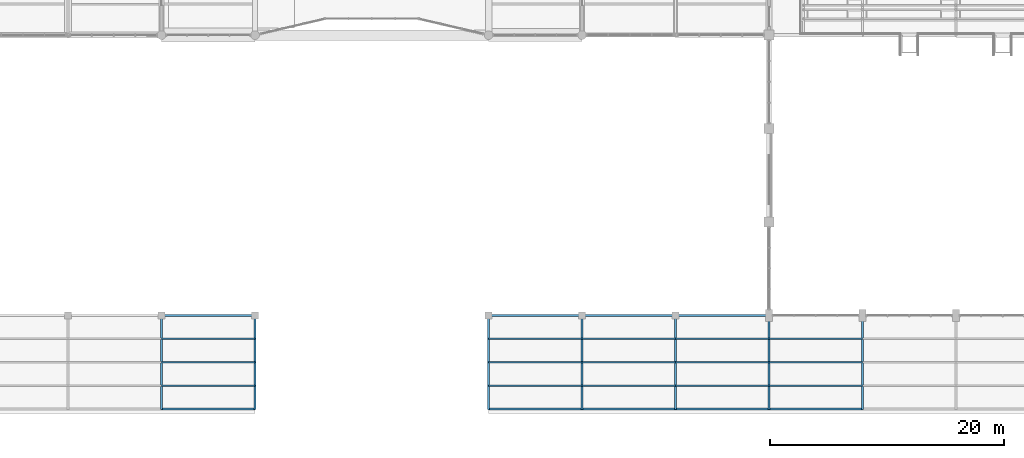
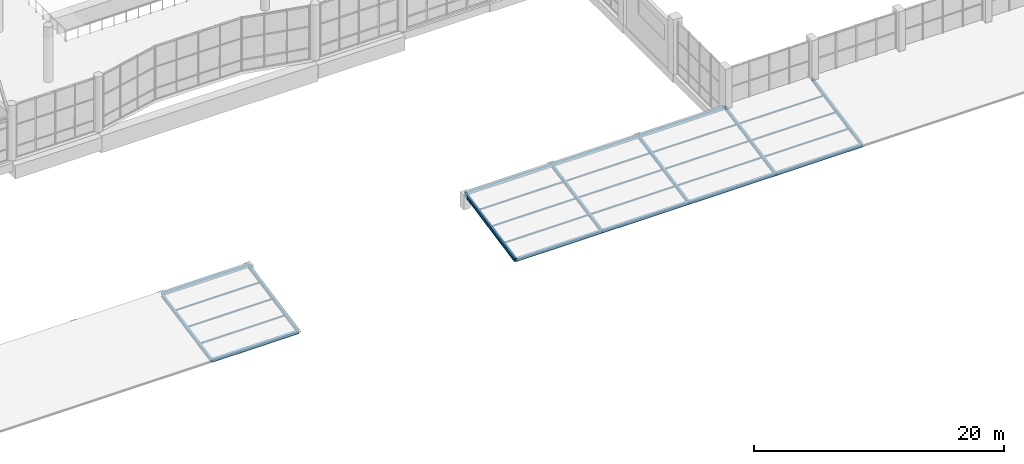
# One storey, part 20 of 122: 16 beams, 15 members.
"""IFC4 building model written with IfcOpenShell, lengths in metres."""

import ifcopenshell
import ifcopenshell.guid

model = None  # the IFC model being written
_history = None  # IfcOwnerHistory: only IFC2X3 demands one
_inside = {}  # id of a spatial element -> (the spatial element, [elements in it])
_under = {}  # id of a project, library or spatial element -> (it, [spatial elements below it])
_declared = {}  # id of a project -> (the project, [libraries it declares])
_typed = {}  # id of a type object -> (the type object, [elements of that type])
_made_of = {}  # id of a material, layer set ... -> (it, [elements and type objects made of it])


def new_model(schema):
    """Start an empty IFC model of exactly this schema.

    Asked for "IFC4X3", IfcOpenShell would pick the latest addendum, in which some entities
    have other attributes; the version numbers below select the first issue.
    IFC2X3 requires an IfcOwnerHistory on every rooted entity: one is made here for all.
    """
    global model, _history
    if schema == "IFC4X3":
        model = ifcopenshell.file(schema_version=(4, 3, 0, 0))
    else:
        model = ifcopenshell.file(schema=schema)
    _inside.clear()
    _under.clear()
    _declared.clear()
    _typed.clear()
    _made_of.clear()
    _history = None
    if model.schema == "IFC2X3":
        org = make("IfcOrganization", Name="unknown")
        user = make(
            "IfcPersonAndOrganization",
            ThePerson=make("IfcPerson", FamilyName="unknown"),
            TheOrganization=org,
        )
        app = make(
            "IfcApplication",
            ApplicationDeveloper=org,
            Version="unknown",
            ApplicationFullName="unknown",
            ApplicationIdentifier="unknown",
        )
        _history = make(
            "IfcOwnerHistory",
            OwningUser=user,
            OwningApplication=app,
            ChangeAction="ADDED",
            CreationDate=0,
        )
    return model


def make(cls, **values):
    """One entity of the class cls with the attributes given. An attribute that is None is left unset."""
    return model.create_entity(
        cls, **{name: value for name, value in values.items() if value is not None}
    )


def rooted(cls, **values):
    """An entity with a GlobalId (a new one), such as an element, a storey or a relation."""
    return make(cls, GlobalId=ifcopenshell.guid.new(), OwnerHistory=_history, **values)


def si_unit(unit_type, name, prefix=None):
    """IfcSIUnit, for example si_unit("LENGTHUNIT", "METRE", prefix="MILLI")."""
    return make("IfcSIUnit", UnitType=unit_type, Prefix=prefix, Name=name)


def assignment(units):
    """IfcUnitAssignment: the units of a project."""
    return None if units is None else make("IfcUnitAssignment", Units=units)


def point(xyz):
    """IfcCartesianPoint."""
    return None if xyz is None else make("IfcCartesianPoint", Coordinates=xyz)


def direction(xyz):
    """IfcDirection."""
    return None if xyz is None else make("IfcDirection", DirectionRatios=xyz)


def frame(location, z_axis=None, x_axis=None):
    """IfcAxis2Placement3D, a coordinate frame: its origin and axes. An axis left out is left unset."""
    return make(
        "IfcAxis2Placement3D",
        Location=point(location),
        Axis=direction(z_axis),
        RefDirection=direction(x_axis),
    )


def frame_2d(location, x_axis=None):
    """IfcAxis2Placement2D, a coordinate frame in the plane: its origin and x axis."""
    return make(
        "IfcAxis2Placement2D", Location=point(location), RefDirection=direction(x_axis)
    )


def origin():
    """The frame at (0, 0, 0) with its axes left unset."""
    return frame((0.0, 0.0, 0.0))


def origin_2d():
    """The frame at (0, 0) in the plane with its x axis left unset."""
    return frame_2d((0.0, 0.0))


def place(relative_to, where):
    """IfcLocalPlacement: puts the frame where relative to a parent placement (None: the world)."""
    return make(
        "IfcLocalPlacement", PlacementRelTo=relative_to, RelativePlacement=where
    )


def context(
    kind, dimensions, precision=None, world=None, true_north=None, identifier=None
):
    """IfcGeometricRepresentationContext, for example the 3D "Model" context."""
    return make(
        "IfcGeometricRepresentationContext",
        ContextIdentifier=identifier,
        ContextType=kind,
        CoordinateSpaceDimension=dimensions,
        Precision=precision,
        WorldCoordinateSystem=world,
        TrueNorth=true_north,
    )


def subcontext(parent, identifier, kind, view, scale=None):
    """IfcGeometricRepresentationSubContext, for example "Body" below "Model"."""
    return make(
        "IfcGeometricRepresentationSubContext",
        ContextIdentifier=identifier,
        ContextType=kind,
        ParentContext=parent,
        TargetScale=scale,
        TargetView=view,
    )


def project(units=None, contexts=None):
    """IfcProject with its units and contexts."""
    return rooted(
        "IfcProject",
        Name="project",
        RepresentationContexts=contexts,
        UnitsInContext=assignment(units),
    )


def spatial(cls, under=None, at=None, **own):
    """A site, building, storey or space (cls), placed at a placement, below another one or the project."""
    s = rooted(cls, ObjectPlacement=at, **own)
    if under is not None:
        _under.setdefault(under.id(), (under, []))[1].append(s)
    return s


def profile(cls, at=None, kind="AREA", **sizes):
    """A parametric profile (cls). Its sizes go by their IFC names, for example OverallWidth=200.0."""
    return make(cls, ProfileType=kind, Position=at, **sizes)


def hollow_rectangle(**sizes):
    """IfcRectangleHollowProfileDef."""
    return profile("IfcRectangleHollowProfileDef", **sizes)


def i_section(**sizes):
    """IfcIShapeProfileDef."""
    return profile("IfcIShapeProfileDef", **sizes)


def extrude(swept, where, along, depth):
    """IfcExtrudedAreaSolid: the profile swept, set in the frame where, extruded along a direction by depth."""
    return make(
        "IfcExtrudedAreaSolid",
        SweptArea=swept,
        Position=where,
        ExtrudedDirection=direction(along),
        Depth=depth,
    )


def shape(context_of_items, identifier, shape_type, items):
    """IfcShapeRepresentation: the items that make up one representation, for example the "Body"."""
    return make(
        "IfcShapeRepresentation",
        ContextOfItems=context_of_items,
        RepresentationIdentifier=identifier,
        RepresentationType=shape_type,
        Items=items,
    )


def material(Name=None, Category=None):
    """IfcMaterial."""
    return make("IfcMaterial", Name=Name, Category=Category)


def material_profile(
    of_material, cross_section, Name=None, Category=None, Priority=None
):
    """IfcMaterialProfile: a cross section and its material."""
    return make(
        "IfcMaterialProfile",
        Name=Name,
        Material=of_material,
        Profile=cross_section,
        Priority=Priority,
        Category=Category,
    )


def profile_set(profiles, Name=None, composite=None):
    """IfcMaterialProfileSet."""
    return make(
        "IfcMaterialProfileSet",
        Name=Name,
        MaterialProfiles=profiles,
        CompositeProfile=composite,
    )


def made_of(thing, what):
    """Note that an element or type object is made of a material, layer set ...; save() writes the relation."""
    if what is not None:
        _made_of.setdefault(what.id(), (what, []))[1].append(thing)
    return thing


def type_object(cls, material=None, **own):
    """A type object (cls), such as IfcWallType, which elements share."""
    return made_of(rooted(cls, **own), material)


def element(
    cls,
    number,
    at=None,
    inside=None,
    cuts=None,
    type_object=None,
    material=None,
    context=None,
    identifier="Body",
    shape_type=None,
    held_by="IfcProductDefinitionShape",
    body=None,
    shapes=None,
    **own,
):
    """One element of the class cls, such as IfcWall. Its Tag is "e" and its number.

    at: its placement. inside: the storey or other place that contains it. cuts: it is an
    opening in that element (IfcRelVoidsElement). A single representation is given by context,
    identifier, shape_type and body (its items); several are given by shapes. held_by: the class
    of the entity that holds the representations. save() writes the other relations.
    """
    e = rooted(cls, Tag="e%d" % number, ObjectPlacement=at, **own)
    if body is not None:
        shapes = [shape(context, identifier, shape_type, body)]
    if shapes is not None:
        e.Representation = make(held_by, Representations=shapes)
    if inside is not None:
        _inside.setdefault(inside.id(), (inside, []))[1].append(e)
    if cuts is not None:
        rooted(
            "IfcRelVoidsElement", RelatingBuildingElement=cuts, RelatedOpeningElement=e
        )
    if type_object is not None:
        _typed.setdefault(type_object.id(), (type_object, []))[1].append(e)
    return made_of(e, material)


def aggregate(whole, parts):
    """IfcRelAggregates: a whole, such as a stair, and the parts it consists of."""
    return rooted("IfcRelAggregates", RelatingObject=whole, RelatedObjects=parts)


def save(model, path):
    """Write the relations noted so far, then the file.

    IfcRelAggregates (storeys below a building ...), IfcRelContainedInSpatialStructure (elements
    in a storey), IfcRelDefinesByType, IfcRelAssociatesMaterial and IfcRelDeclares: one each for
    every whole, place, type object, material and project.
    """
    for whole, parts in _under.values():
        aggregate(whole, parts)
    for where, things in _inside.values():
        rooted(
            "IfcRelContainedInSpatialStructure",
            RelatedElements=things,
            RelatingStructure=where,
        )
    for kind, things in _typed.values():
        rooted("IfcRelDefinesByType", RelatedObjects=things, RelatingType=kind)
    for what, things in _made_of.values():
        rooted("IfcRelAssociatesMaterial", RelatedObjects=things, RelatingMaterial=what)
    for by, libraries in _declared.values():
        rooted("IfcRelDeclares", RelatingContext=by, RelatedDefinitions=libraries)
    model.write(path)


model = new_model("IFC4")

# Units and contexts
model_context = context("Model", 3, precision=1e-05, world=origin(), true_north=direction((0.0, 1.0)))
body_context = subcontext(model_context, "Body", "Model", "MODEL_VIEW")
ifc_project = project(units=[si_unit("LENGTHUNIT", "METRE"), si_unit("AREAUNIT", "SQUARE_METRE"), si_unit("VOLUMEUNIT", "CUBIC_METRE"), si_unit("PLANEANGLEUNIT", "RADIAN"), si_unit("MASSUNIT", "GRAM", prefix="KILO")], contexts=[model_context])

# Site, building, storey
site_placement = place(None, origin())
site = spatial("IfcSite", under=ifc_project, at=site_placement, CompositionType="ELEMENT")
building_placement = place(site_placement, origin())
building = spatial("IfcBuilding", under=site, at=building_placement, Name="Tenunan Teduh Sports Hall", CompositionType="ELEMENT")
storey_placement = place(building_placement, frame((0.0, 0.0, 5.39990234375)))
storey = spatial("IfcBuildingStorey", under=building, at=storey_placement, Name="L01", CompositionType="ELEMENT", Elevation=5.39990234375)

# Members
ifc_material_1 = material(Name="Steel S355", Category="steel")
ifc_material_profile_1 = material_profile(ifc_material_1, hollow_rectangle(XDim=0.1201171875, YDim=0.1201171875, WallThickness=0.00634765625, at=origin_2d()), Name="SHS 120x120x6.3")
ifc_profile_set_1 = profile_set([ifc_material_profile_1], Name="Steel S355")
member_type = type_object("IfcMemberType", Name="MEM-PR-SHS120", PredefinedType="PURLIN", material=ifc_profile_set_1)
for number, where, z_axis, x_axis, name in (
    (1, (70.0, 8.0, 0.1201171875), (1.0, 0.0, 0.0), (0.0, 1.0, 0.0), "MEM-PR-02-L01-0972"),
    (2, (70.0, 10.0, 0.52001953125), (1.0, 0.0, 0.0), (0.0, 1.0, 0.0), "MEM-PR-02-L01-0973"),
    (3, (70.0, 12.0, 0.920166015625), (1.0, 0.0, 0.0), (0.0, 1.0, 0.0), "MEM-PR-02-L01-0974"),
    (4, (98.003662109375, 8.0, 0.1201171875), (1.0, 0.0, 0.0), (0.0, 1.0, 0.0), "MEM-PR-02-L01-0977"),
    (5, (98.003662109375, 10.0, 0.52001953125), (1.0, 0.0, 0.0), (0.0, 1.0, 0.0), "MEM-PR-02-L01-0978"),
    (6, (98.003662109375, 12.0, 0.920166015625), (1.0, 0.0, 0.0), (0.0, 1.0, 0.0), "MEM-PR-02-L01-0979"),
):
    element("IfcMember", number, at=place(storey_placement, frame(where, z_axis=z_axis, x_axis=x_axis)), inside=storey, type_object=member_type, Name=name, PredefinedType="PURLIN", context=body_context, shape_type="SweptSolid", body=[
        extrude(hollow_rectangle(XDim=0.1201171875, YDim=0.1201171875, WallThickness=0.00634765625, at=origin_2d()), origin(), (0.0, 0.0, 1.0), 7.996337890625),
    ])
for number, where, z_axis, x_axis, name in (
    (7, (106.0, 8.0, 0.1201171875), (1.0, 0.0, 0.0), (0.0, 1.0, 0.0), "MEM-PR-02-L01-0982"),
    (8, (106.0, 10.0, 0.52001953125), (1.0, 0.0, 0.0), (0.0, 1.0, 0.0), "MEM-PR-02-L01-0983"),
    (9, (106.0, 12.0, 0.920166015625), (1.0, 0.0, 0.0), (0.0, 1.0, 0.0), "MEM-PR-02-L01-0984"),
    (10, (114.0, 8.0, 0.1201171875), (1.0, 0.0, 0.0), (0.0, 1.0, 0.0), "MEM-PR-02-L01-0987"),
    (11, (114.0, 10.0, 0.52001953125), (1.0, 0.0, 0.0), (0.0, 1.0, 0.0), "MEM-PR-02-L01-0988"),
    (12, (114.0, 12.0, 0.920166015625), (1.0, 0.0, 0.0), (0.0, 1.0, 0.0), "MEM-PR-02-L01-0989"),
    (13, (122.0, 8.0, 0.1201171875), (1.0, 0.0, 0.0), (0.0, 1.0, 0.0), "MEM-PR-02-L01-0992"),
    (14, (122.0, 10.0, 0.52001953125), (1.0, 0.0, 0.0), (0.0, 1.0, 0.0), "MEM-PR-02-L01-0993"),
    (15, (122.0, 12.0, 0.920166015625), (1.0, 0.0, 0.0), (0.0, 1.0, 0.0), "MEM-PR-02-L01-0994"),
):
    element("IfcMember", number, at=place(storey_placement, frame(where, z_axis=z_axis, x_axis=x_axis)), inside=storey, type_object=member_type, Name=name, PredefinedType="PURLIN", context=body_context, shape_type="SweptSolid", body=[
        extrude(hollow_rectangle(XDim=0.1201171875, YDim=0.1201171875, WallThickness=0.00634765625, at=origin_2d()), origin(), (0.0, 0.0, 1.0), 8.0),
    ])

# Beams
ifc_material_2 = material(Name="Steel S355", Category="steel")
ifc_material_profile_2 = material_profile(ifc_material_2, hollow_rectangle(XDim=0.199951171875, YDim=0.300048828125, WallThickness=0.010009765625, at=origin_2d()), Name="RHS 300x200x10.0")
ifc_profile_set_2 = profile_set([ifc_material_profile_2], Name="Steel S355")
beam_type_1 = type_object("IfcBeamType", Name="RBM-RHS300", PredefinedType="BEAM", material=ifc_profile_set_2)
for number, where, z_axis, x_axis, name in (
    (16, (70.0, 6.0, -0.27978515625), (1.0, 0.0, 0.0), (0.0, 1.0, 0.0), "Perimeter Ring Beam BM-RB-03-L01-0543"),
    (17, (70.0, 14.0, 1.320068359375), (1.0, 0.0, 0.0), (0.0, 1.0, 0.0), "Perimeter Ring Beam BM-RB-03-L01-0544"),
    (18, (98.0, 6.0, -0.27978515625), (1.0, 0.0, 0.0), (0.0, 1.0, 0.0), "Perimeter Ring Beam BM-RB-03-L01-0547"),
    (19, (98.0, 14.0, 1.320068359375), (1.0, 0.0, 0.0), (0.0, 1.0, 0.0), "Perimeter Ring Beam BM-RB-03-L01-0548"),
    (20, (106.0, 6.0, -0.27978515625), (1.0, 0.0, 0.0), (0.0, 1.0, 0.0), "Perimeter Ring Beam BM-RB-03-L01-0550"),
    (21, (106.0, 14.0, 1.320068359375), (1.0, 0.0, 0.0), (0.0, 1.0, 0.0), "Perimeter Ring Beam BM-RB-03-L01-0551"),
    (22, (114.0, 6.0, -0.27978515625), (1.0, 0.0, 0.0), (0.0, 1.0, 0.0), "Perimeter Ring Beam BM-RB-03-L01-0553"),
    (23, (114.0, 14.0, 1.320068359375), (1.0, 0.0, 0.0), (0.0, 1.0, 0.0), "Perimeter Ring Beam BM-RB-03-L01-0554"),
    (24, (122.0, 6.0, -0.27978515625), (1.0, 0.0, 0.0), (0.0, 1.0, 0.0), "Perimeter Ring Beam BM-RB-03-L01-0556"),
):
    element("IfcBeam", number, at=place(storey_placement, frame(where, z_axis=z_axis, x_axis=x_axis)), inside=storey, type_object=beam_type_1, Name=name, PredefinedType="BEAM", context=body_context, shape_type="SweptSolid", body=[
        extrude(hollow_rectangle(XDim=0.199951171875, YDim=0.300048828125, WallThickness=0.010009765625, at=origin_2d()), origin(), (0.0, 0.0, 1.0), 8.0),
    ])
ifc_material_3 = material(Name="Steel S355", Category="steel")
ifc_material_profile_3 = material_profile(ifc_material_3, i_section(OverallWidth=0.17138671875, OverallDepth=0.35498046875, WebThickness=0.00732421875, FlangeThickness=0.011474609375, FilletRadius=0.01025390625, at=origin_2d()), Name="UKB 356x171x51")
ifc_profile_set_3 = profile_set([ifc_material_profile_3], Name="Steel S355")
beam_type_2 = type_object("IfcBeamType", Name="SBM-UKB356", PredefinedType="BEAM", material=ifc_profile_set_3)
for number, where, z_axis, x_axis, name in (
    (25, (70.0, 6.0, -0.2998046875), (0.0, 0.98058412843, 0.196098870654), (-1.0, 0.0, 0.0), "BM-SB-02-L01-0542"),
    (26, (78.0, 6.0, -0.2998046875), (0.0, 0.98058412843, 0.196098870654), (-1.0, 0.0, 0.0), "BM-SB-02-L01-0545"),
    (27, (98.0, 6.0, -0.2998046875), (0.0, 0.98058412843, 0.196098870654), (-1.0, 0.0, 0.0), "BM-SB-02-L01-0546"),
    (28, (106.0, 6.0, -0.2998046875), (0.0, 0.98058412843, 0.196098870654), (-1.0, 0.0, 0.0), "BM-SB-02-L01-0549"),
    (29, (114.0, 6.0, -0.2998046875), (0.0, 0.98058412843, 0.196098870654), (-1.0, 0.0, 0.0), "BM-SB-02-L01-0552"),
    (30, (122.0, 6.0, -0.2998046875), (0.0, 0.98058412843, 0.196098870654), (-1.0, 0.0, 0.0), "BM-SB-02-L01-0555"),
    (31, (130.0, 6.0, -0.2998046875), (0.0, 0.98058412843, 0.196098870654), (-1.0, 0.0, 0.0), "BM-SB-02-L01-0558"),
):
    element("IfcBeam", number, at=place(storey_placement, frame(where, z_axis=z_axis, x_axis=x_axis)), inside=storey, type_object=beam_type_2, Name=name, PredefinedType="BEAM", context=body_context, shape_type="SweptSolid", body=[
        extrude(i_section(OverallWidth=0.17138671875, OverallDepth=0.35498046875, WebThickness=0.00732421875, FlangeThickness=0.011474609375, FilletRadius=0.01025390625, at=origin_2d()), origin(), (0.0, 0.0, 1.0), 8.158447265625),
    ])

save(model, "model.ifc")
